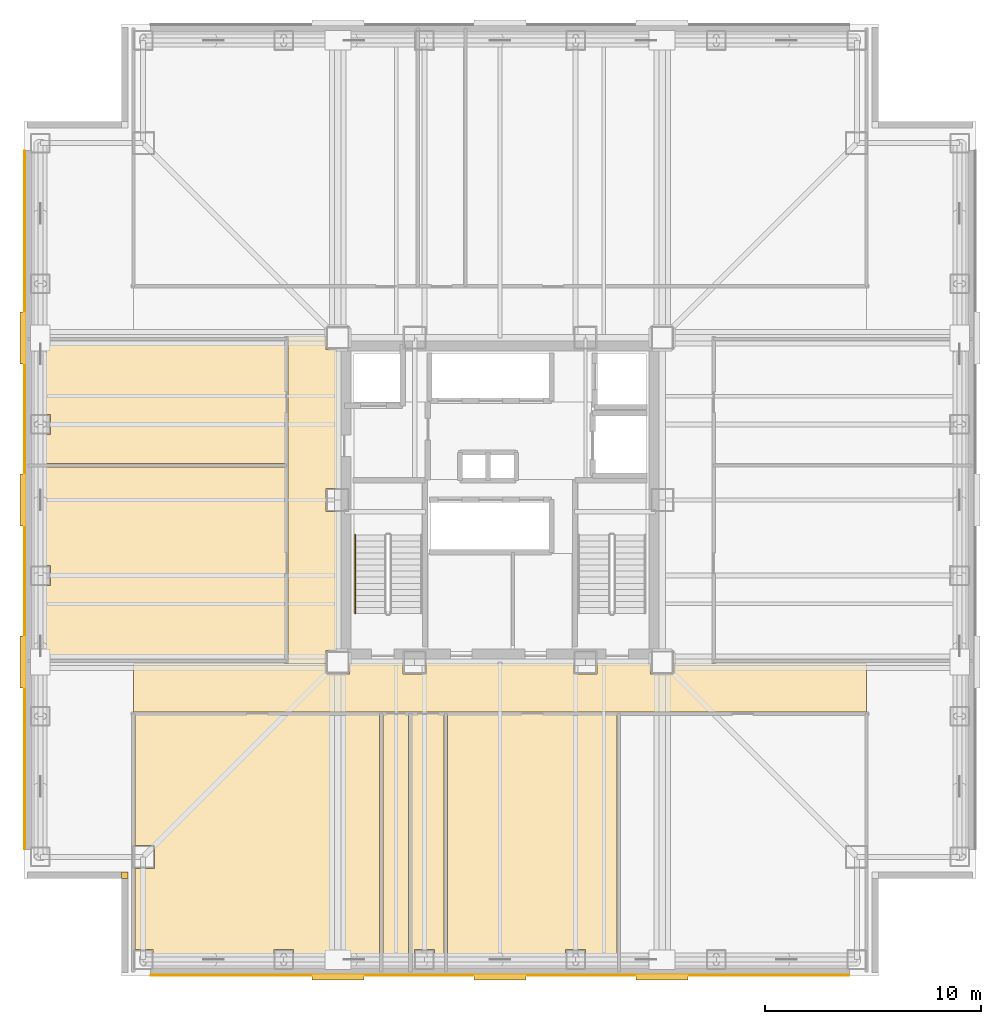
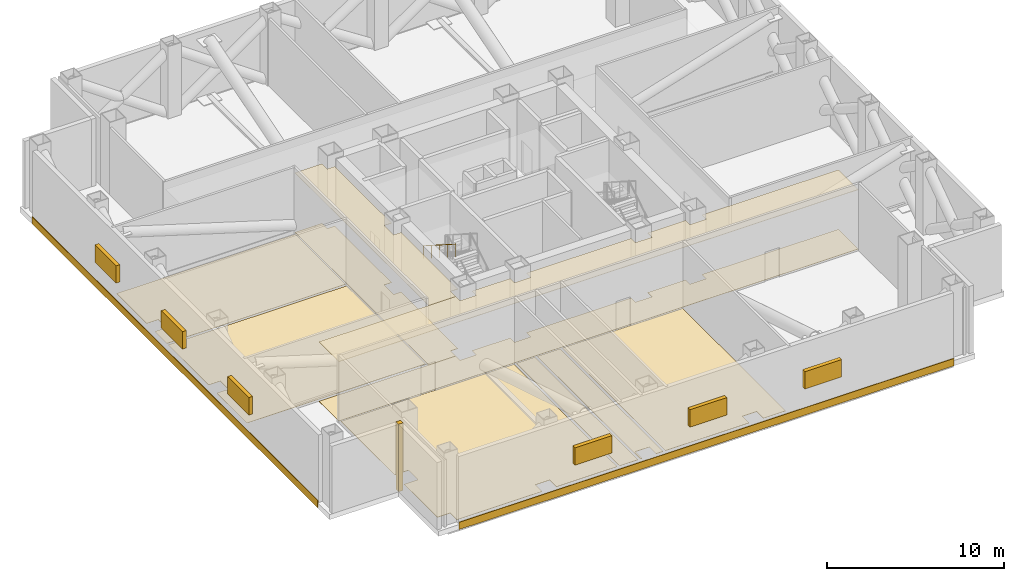
# One storey, part 6 of 8: 13 coverings, 6 shading devices, 1 railing.
"""IFC4 building model written with IfcOpenShell, lengths in metres."""

from ifc_helpers import new_model, si_unit, direction, frame, frame_2d, origin, origin_2d, place, context, subcontext, project, spatial, polyline, rectangle, circle, outline, extrude, material, layer, layer_set, type_object, element, save


model = new_model("IFC4")

# Units and contexts
model_context = context("Model", 3, precision=1e-05, world=origin(), true_north=direction((0.0, 1.0)))
body_context = subcontext(model_context, "Body", "Model", "MODEL_VIEW")
ifc_project = project(units=[si_unit("LENGTHUNIT", "METRE"), si_unit("AREAUNIT", "SQUARE_METRE"), si_unit("VOLUMEUNIT", "CUBIC_METRE"), si_unit("PLANEANGLEUNIT", "RADIAN"), si_unit("MASSUNIT", "GRAM", prefix="KILO")], contexts=[model_context])

# Site, building, storey
site_placement = place(None, origin())
site = spatial("IfcSite", under=ifc_project, at=site_placement, CompositionType="ELEMENT")
building_placement = place(site_placement, origin())
building = spatial("IfcBuilding", under=site, at=building_placement, Name="Trevonay Congress Spire", CompositionType="ELEMENT")
storey_placement = place(building_placement, frame((0.0, 0.0, 155.199951171875)))
storey = spatial("IfcBuildingStorey", under=building, at=storey_placement, Name="L40", CompositionType="ELEMENT", Elevation=155.199951171875)

# Coverings
ifc_material_1 = material(Name="Acoustic Mineral Fibre Board", Category="gypsum")
ifc_layer_1 = layer(ifc_material_1, 0.02490234375, Name="Acoustic Mineral Fibre Board")
ifc_layer_set_1 = layer_set([ifc_layer_1], Name="Acoustic Mineral Fibre Board")
covering_type_1 = type_object("IfcCoveringType", Name="COV-CEIL-ACOUSTIC", PredefinedType="CEILING", material=ifc_layer_set_1)
covering_1_placement = place(storey_placement, frame((0.0, 0.0, 4.10009765625)))
element("IfcCovering", 1, at=covering_1_placement, inside=storey, type_object=covering_type_1, Name="L40 Plant and Refuge Corridor South acoustic suspended ceiling", PredefinedType="CEILING", context=body_context, shape_type="SweptSolid", body=[
    extrude(outline(polyline([(16.949951171875, -7.550048828125), (16.949951171875, -9.800048828125), (-16.949951171875, -9.800048828125), (-16.949951171875, -7.550048828125), (-8.034912109375, -7.550048828125), (-8.034912109375, -8.034912109375), (-6.965087890625, -8.034912109375), (-6.965087890625, -7.550048828125), (-4.485107421875, -7.550048828125), (-4.485107421875, -8.034912109375), (-3.4150390625, -8.034912109375), (-3.4150390625, -7.550048828125), (3.4150390625, -7.550048828125), (3.4150390625, -8.034912109375), (4.485107421875, -8.034912109375), (4.485107421875, -7.550048828125), (6.965087890625, -7.550048828125), (6.965087890625, -8.034912109375), (8.034912109375, -8.034912109375), (8.034912109375, -7.550048828125), (16.949951171875, -7.550048828125)])), origin(), (0.0, 0.0, 1.0), 0.02490234375),
])
covering_2_placement = place(storey_placement, frame((0.0, 0.0, 4.10009765625)))
element("IfcCovering", 2, at=covering_2_placement, inside=storey, type_object=covering_type_1, Name="L40 Plant and Refuge Corridor West acoustic suspended ceiling", PredefinedType="CEILING", context=body_context, shape_type="SweptSolid", body=[
    extrude(outline(polyline([(-9.800048828125, 7.550048828125), (-8.034912109375, 7.550048828125), (-8.034912109375, 6.965087890625), (-7.550048828125, 6.965087890625), (-7.550048828125, 0.534912109375), (-8.034912109375, 0.534912109375), (-8.034912109375, -0.534912109375), (-7.550048828125, -0.534912109375), (-7.550048828125, -6.965087890625), (-8.034912109375, -6.965087890625), (-8.034912109375, -7.550048828125), (-9.800048828125, -7.550048828125), (-9.800048828125, 7.550048828125)])), origin(), (0.0, 0.0, 1.0), 0.02490234375),
])
ifc_material_2 = material(Name="Polished Granite Floor Tile", Category="masonry")
ifc_layer_2 = layer(ifc_material_2, 0.02001953125, Name="Polished Granite Floor Tile")
ifc_layer_set_2 = layer_set([ifc_layer_2], Name="Polished Granite Floor Tile")
covering_type_2 = type_object("IfcCoveringType", Name="COV-FLOOR-STONE", PredefinedType="FLOORING", material=ifc_layer_set_2)
covering_3_placement = place(storey_placement, origin())
element("IfcCovering", 3, at=covering_3_placement, inside=storey, type_object=covering_type_2, Name="L40 Plant and Refuge Corridor South floor finish", PredefinedType="FLOORING", context=body_context, shape_type="SweptSolid", body=[
    extrude(outline(polyline([(16.949951171875, -7.550048828125), (16.949951171875, -9.800048828125), (-16.949951171875, -9.800048828125), (-16.949951171875, -7.550048828125), (-8.034912109375, -7.550048828125), (-8.034912109375, -8.034912109375), (-6.965087890625, -8.034912109375), (-6.965087890625, -7.550048828125), (-4.485107421875, -7.550048828125), (-4.485107421875, -8.034912109375), (-3.4150390625, -8.034912109375), (-3.4150390625, -7.550048828125), (3.4150390625, -7.550048828125), (3.4150390625, -8.034912109375), (4.485107421875, -8.034912109375), (4.485107421875, -7.550048828125), (6.965087890625, -7.550048828125), (6.965087890625, -8.034912109375), (8.034912109375, -8.034912109375), (8.034912109375, -7.550048828125), (16.949951171875, -7.550048828125)])), origin(), (0.0, 0.0, 1.0), 0.02001953125),
])
covering_4_placement = place(storey_placement, origin())
element("IfcCovering", 4, at=covering_4_placement, inside=storey, type_object=covering_type_2, Name="L40 Plant and Refuge Corridor West floor finish", PredefinedType="FLOORING", context=body_context, shape_type="SweptSolid", body=[
    extrude(outline(polyline([(-9.800048828125, 7.550048828125), (-8.034912109375, 7.550048828125), (-8.034912109375, 6.965087890625), (-7.550048828125, 6.965087890625), (-7.550048828125, 0.534912109375), (-8.034912109375, 0.534912109375), (-8.034912109375, -0.534912109375), (-7.550048828125, -0.534912109375), (-7.550048828125, -6.965087890625), (-8.034912109375, -6.965087890625), (-8.034912109375, -7.550048828125), (-9.800048828125, -7.550048828125), (-9.800048828125, 7.550048828125)])), origin(), (0.0, 0.0, 1.0), 0.02001953125),
])
covering_5_placement = place(storey_placement, origin())
element("IfcCovering", 5, at=covering_5_placement, inside=storey, type_object=covering_type_2, Name="L40 Chiller and Heat-Pump Plant floor finish", PredefinedType="FLOORING", context=body_context, shape_type="SweptSolid", body=[
    extrude(outline(polyline([(-16.0400390625, -21.550048828125), (-16.0400390625, -20.7900390625), (-16.8701171875, -20.7900390625), (-16.8701171875, -17.034912109375), (-15.965087890625, -17.034912109375), (-15.965087890625, -15.965087890625), (-16.8701171875, -15.965087890625), (-16.8701171875, -9.8798828125), (-5.580078125, -9.8798828125), (-5.580078125, -21.550048828125), (-9.5400390625, -21.550048828125), (-9.5400390625, -20.7900390625), (-10.4599609375, -20.7900390625), (-10.4599609375, -21.550048828125), (-16.0400390625, -21.550048828125)])), origin(), (0.0, 0.0, 1.0), 0.02001953125),
])
covering_6_placement = place(storey_placement, origin())
element("IfcCovering", 6, at=covering_6_placement, inside=storey, type_object=covering_type_2, Name="L40 Accessible Refuge WC floor finish", PredefinedType="FLOORING", context=body_context, shape_type="SweptSolid", body=[
    extrude(outline(polyline([(-5.419921875, -21.550048828125), (-4.219970703125, -21.550048828125), (-4.219970703125, -9.8798828125), (-5.419921875, -9.8798828125), (-5.419921875, -21.550048828125)])), origin(), (0.0, 0.0, 1.0), 0.02001953125),
])
covering_7_placement = place(storey_placement, origin())
element("IfcCovering", 7, at=covering_7_placement, inside=storey, type_object=covering_type_2, Name="L40 Floor Supplies and Copy Room floor finish", PredefinedType="FLOORING", context=body_context, shape_type="SweptSolid", body=[
    extrude(outline(polyline([(-4.06005859375, -21.550048828125), (-4.06005859375, -9.8798828125), (-2.580078125, -9.8798828125), (-2.580078125, -21.550048828125), (-3.0400390625, -21.550048828125), (-3.0400390625, -20.7900390625), (-3.9599609375, -20.7900390625), (-3.9599609375, -21.550048828125), (-4.06005859375, -21.550048828125)])), origin(), (0.0, 0.0, 1.0), 0.02001953125),
])
covering_8_placement = place(storey_placement, origin())
element("IfcCovering", 8, at=covering_8_placement, inside=storey, type_object=covering_type_2, Name="L40 Primary AHU Supply Plant floor finish", PredefinedType="FLOORING", context=body_context, shape_type="SweptSolid", body=[
    extrude(outline(polyline([(-2.419921875, -21.550048828125), (-2.419921875, -9.8798828125), (5.419921875, -9.8798828125), (5.419921875, -21.550048828125), (3.9599609375, -21.550048828125), (3.9599609375, -20.7900390625), (3.0400390625, -20.7900390625), (3.0400390625, -21.550048828125), (-2.419921875, -21.550048828125)])), origin(), (0.0, 0.0, 1.0), 0.02001953125),
])
covering_9_placement = place(storey_placement, origin())
element("IfcCovering", 9, at=covering_9_placement, inside=storey, type_object=covering_type_2, Name="L40 Refuge Area West floor finish", PredefinedType="FLOORING", context=body_context, shape_type="SweptSolid", body=[
    extrude(outline(polyline([(-21.550048828125, 1.52001953125), (-9.8798828125, 1.52001953125), (-9.8798828125, -7.3701171875), (-21.550048828125, -7.3701171875), (-21.550048828125, -3.9599609375), (-20.7900390625, -3.9599609375), (-20.7900390625, -3.0400390625), (-21.550048828125, -3.0400390625), (-21.550048828125, 1.52001953125)])), origin(), (0.0, 0.0, 1.0), 0.02001953125),
])
covering_10_placement = place(storey_placement, origin())
element("IfcCovering", 10, at=covering_10_placement, inside=storey, type_object=covering_type_2, Name="L40 Pressurization Fan Room West floor finish", PredefinedType="FLOORING", context=body_context, shape_type="SweptSolid", body=[
    extrude(outline(polyline([(-21.550048828125, 7.3701171875), (-9.8798828125, 7.3701171875), (-9.8798828125, 1.679931640625), (-21.550048828125, 1.679931640625), (-21.550048828125, 3.0400390625), (-20.7900390625, 3.0400390625), (-20.7900390625, 3.9599609375), (-21.550048828125, 3.9599609375), (-21.550048828125, 7.3701171875)])), origin(), (0.0, 0.0, 1.0), 0.02001953125),
])
ifc_material_3 = material(Name="Pale Anodised Aluminium EN AW-6063-T6", Category="aluminium")
ifc_layer_3 = layer(ifc_material_3, 0.0400390625, Name="Pale Anodised Aluminium EN AW-6063-T6")
ifc_layer_set_3 = layer_set([ifc_layer_3], Name="Pale Anodised Aluminium EN AW-6063-T6")
covering_type_3 = type_object("IfcCoveringType", Name="COV-SPANDREL-PALE-METAL", PredefinedType="CLADDING", material=ifc_layer_set_3)
for number, where, z_axis, x_axis, name in (
    (11, (-16.14990234375, -21.97998046875, -0.349853515625), (0.0, 0.0, 1.0), (1.0, 0.0, 0.0), "L40 S pale-metal belt-truss spandrel cladding"),
    (12, (-21.97998046875, -16.14990234375, -0.349853515625), (0.0, 0.0, 1.0), (0.0, 1.0, 0.0), "L40 W pale-metal belt-truss spandrel cladding"),
):
    element("IfcCovering", number, at=place(storey_placement, frame(where, z_axis=z_axis, x_axis=x_axis)), inside=storey, type_object=covering_type_3, Name=name, PredefinedType="CLADDING", context=body_context, shape_type="SweptSolid", body=[
        extrude(rectangle(XDim=32.2998046875, YDim=0.0400390625, at=frame_2d((16.14990234375, 0.0))), origin(), (0.0, 0.0, 1.0), 0.5),
    ])
covering_11_placement = place(storey_placement, origin())
element("IfcCovering", 13, at=covering_11_placement, inside=storey, type_object=covering_type_3, Name="L40 SW re-entrant notch corner closure trim", PredefinedType="CLADDING", context=body_context, shape_type="SweptSolid", body=[
    extrude(outline(polyline([(-17.5, -17.5), (-17.199951171875, -17.5), (-17.199951171875, -17.199951171875), (-17.5, -17.199951171875), (-17.5, -17.5)])), origin(), (0.0, 0.0, 1.0), 4.650146484375),
])

# Railing
railing_type = type_object("IfcRailingType", Name="RAL-STAIR-HANDRAIL", PredefinedType="HANDRAIL", material=ifc_material_3)
railing_placement = place(storey_placement, frame((-6.699951171875, -1.610107421875, 2.6787109375)))
element("IfcRailing", 14, at=railing_placement, inside=storey, type_object=railing_type, Name="L40 ST-1 stair handrail 2", PredefinedType="HANDRAIL", context=body_context, shape_type="SweptSolid", body=[
    extrude(circle(Radius=0.02392578125, at=origin_2d()), frame((0.0, 0.0, 0.8759765625), z_axis=(0.0, -0.843137146238, 0.537698570422), x_axis=(1.0, 0.0, 0.0)), (0.0, 0.0, 1.0), 4.317138671875),
    extrude(circle(Radius=0.02099609375, at=origin_2d()), origin(), (0.0, 0.0, 1.0), 0.851806640625),
    extrude(circle(Radius=0.02099609375, at=origin_2d()), frame((0.0, -0.909912109375, 0.580322265625)), (0.0, 0.0, 1.0), 0.851806640625),
    extrude(circle(Radius=0.02099609375, at=origin_2d()), frame((0.0, -1.81982421875, 1.16064453125)), (0.0, 0.0, 1.0), 0.851806640625),
    extrude(circle(Radius=0.02099609375, at=origin_2d()), frame((0.0, -2.72998046875, 1.740966796875)), (0.0, 0.0, 1.0), 0.851806640625),
    extrude(circle(Radius=0.02099609375, at=origin_2d()), frame((0.0, -3.639892578125, 2.3212890625)), (0.0, 0.0, 1.0), 0.851806640625),
])

# Shading devices
shading_device_type = type_object("IfcShadingDeviceType", Name="SHD-LOUVRE-PLANT-ALUM", PredefinedType="USERDEFINED", material=ifc_material_3)
for number, where, z_axis, x_axis, name in (
    (15, (-7.5, -22.070068359375, 1.60009765625), (0.0, 0.0, 1.0), (1.0, 0.0, 0.0), "L40 S acoustic plant intake louvre 1"),
    (16, (0.0, -22.070068359375, 1.60009765625), (0.0, 0.0, 1.0), (1.0, 0.0, 0.0), "L40 S acoustic plant intake louvre 2"),
    (17, (7.5, -22.070068359375, 1.60009765625), (0.0, 0.0, 1.0), (1.0, 0.0, 0.0), "L40 S acoustic plant intake louvre 3"),
    (18, (-22.070068359375, -7.5, 1.60009765625), (0.0, 0.0, 1.0), (0.0, 1.0, 0.0), "L40 W acoustic plant intake louvre 1"),
    (19, (-22.070068359375, 0.0, 1.60009765625), (0.0, 0.0, 1.0), (0.0, 1.0, 0.0), "L40 W acoustic plant intake louvre 2"),
    (20, (-22.070068359375, 7.5, 1.60009765625), (0.0, 0.0, 1.0), (0.0, 1.0, 0.0), "L40 W acoustic plant intake louvre 3"),
):
    element("IfcShadingDevice", number, at=place(storey_placement, frame(where, z_axis=z_axis, x_axis=x_axis)), inside=storey, type_object=shading_device_type, Name=name, ObjectType="LOUVRE", PredefinedType="USERDEFINED", context=body_context, shape_type="SweptSolid", body=[
        extrude(rectangle(XDim=2.39990234375, YDim=0.25, at=origin_2d()), origin(), (0.0, 0.0, 1.0), 1.199951171875),
    ])

save(model, "model.ifc")
